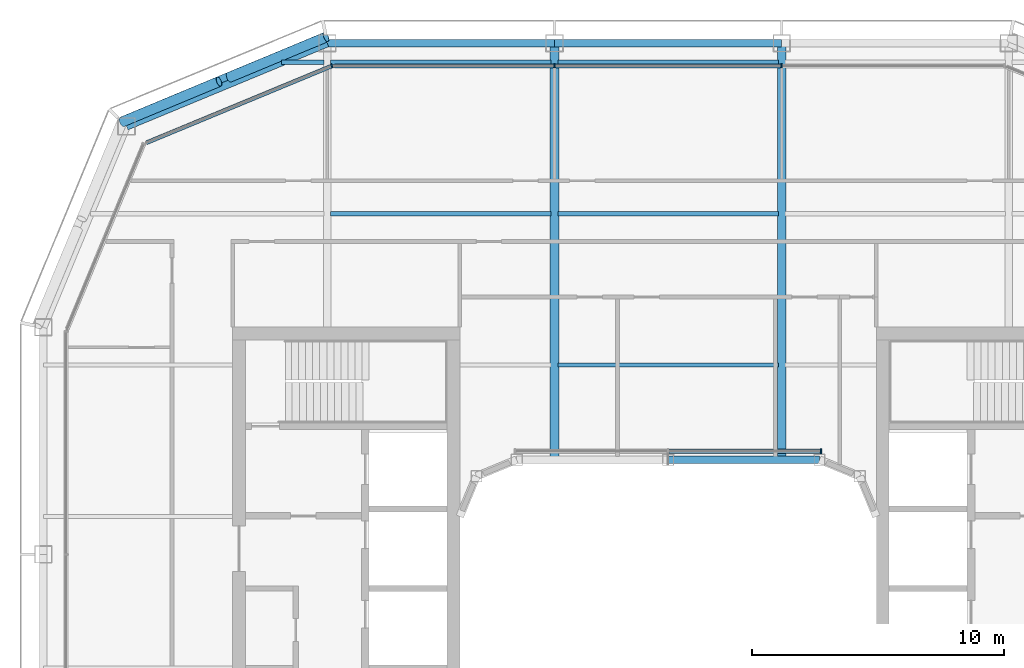
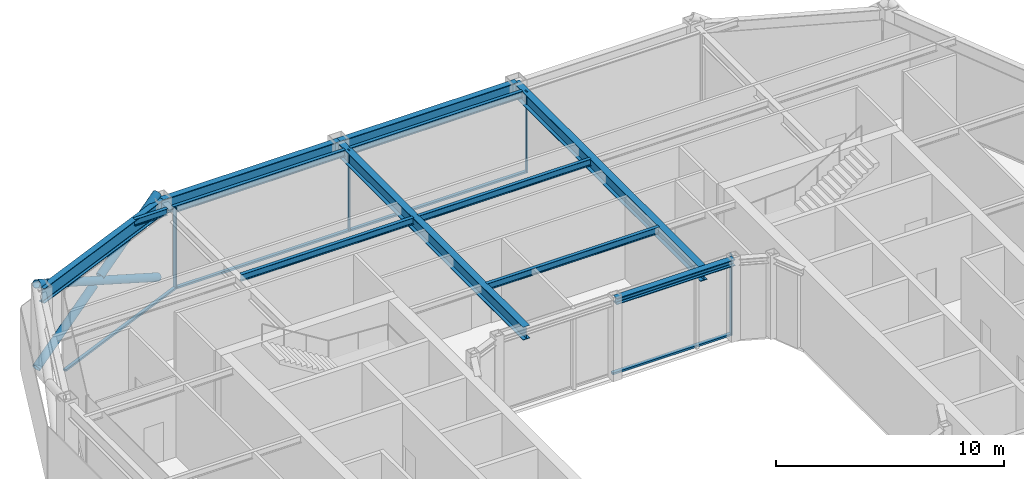
# One storey, part 8 of 21: 12 beams, 11 members, 3 elements without a shape of their own.
"""IFC4 building model written with IfcOpenShell, lengths in metres."""

from ifc_helpers import new_model, si_unit, direction, frame, origin, origin_2d, place, context, subcontext, project, spatial, rectangle, hollow_circle, i_section, extrude, material, layer, layer_set, material_profile, profile_set, type_object, element, aggregate, save


model = new_model("IFC4")

# Units and contexts
model_context = context("Model", 3, precision=1e-05, world=origin(), true_north=direction((0.0, 1.0)))
body_context = subcontext(model_context, "Body", "Model", "MODEL_VIEW")
ifc_project = project(units=[si_unit("LENGTHUNIT", "METRE"), si_unit("AREAUNIT", "SQUARE_METRE"), si_unit("VOLUMEUNIT", "CUBIC_METRE"), si_unit("PLANEANGLEUNIT", "RADIAN"), si_unit("MASSUNIT", "GRAM", prefix="KILO")], contexts=[model_context])

# Site, building, storey
site_placement = place(None, origin())
site = spatial("IfcSite", under=ifc_project, at=site_placement, CompositionType="ELEMENT")
building_placement = place(site_placement, origin())
building = spatial("IfcBuilding", under=site, at=building_placement, Name="Siwar Civic Tower", CompositionType="ELEMENT")
storey_placement = place(building_placement, frame((0.0, 0.0, 339.199951171875)))
storey = spatial("IfcBuildingStorey", under=building, at=storey_placement, Name="L73", CompositionType="ELEMENT", Elevation=339.199951171875)

# Curtain wall, members
ifc_material_1 = material(Name="Aluminium and glass", Category="aluminium")
ifc_layer_1 = layer(ifc_material_1, 0.159912109375)
ifc_layer_set_1 = layer_set([ifc_layer_1], Name="Aluminium and glass")
curtain_wall_type_1 = type_object("IfcCurtainWallType", Name="ENV-CW-D", PredefinedType="NOTDEFINED", material=ifc_layer_set_1)
curtain_wall_1_placement = place(storey_placement, origin())
curtain_wall_1 = element("IfcCurtainWall", 1, at=curtain_wall_1_placement, inside=storey, type_object=curtain_wall_type_1, Name="Curtain wall D N", PredefinedType="NOTDEFINED")
ifc_material_2 = material(Name="Aluminium 6063-T6", Category="aluminium")
ifc_material_profile_1 = material_profile(ifc_material_2, rectangle(XDim=0.159912109375, YDim=0.06005859375, at=origin_2d()), Name="AL 160x60")
ifc_profile_set_1 = profile_set([ifc_material_profile_1], Name="Aluminium 6063-T6")
member_type_1 = type_object("IfcMemberType", Name="ENV-MULLION-D", PredefinedType="MULLION", material=ifc_profile_set_1)
member_1_placement = place(storey_placement, frame((4.5, 23.85009765625, 0.0), z_axis=(0.0, 0.0, 1.0), x_axis=(0.0, -1.0, 0.0)))
member_1 = element("IfcMember", 2, at=member_1_placement, type_object=member_type_1, Name="Mullion D N 2", PredefinedType="MULLION", context=body_context, shape_type="SweptSolid", body=[
    extrude(rectangle(XDim=0.159912109375, YDim=0.06005859375, at=origin_2d()), origin(), (0.0, 0.0, 1.0), 4.35009765625),
])
member_2_placement = place(storey_placement, frame((-4.5, 23.85009765625, 0.0), z_axis=(0.0, 0.0, 1.0), x_axis=(0.0, -1.0, 0.0)))
member_2 = element("IfcMember", 3, at=member_2_placement, type_object=member_type_1, Name="Mullion D N 3", PredefinedType="MULLION", context=body_context, shape_type="SweptSolid", body=[
    extrude(rectangle(XDim=0.159912109375, YDim=0.06005859375, at=origin_2d()), origin(), (0.0, 0.0, 1.0), 4.35009765625),
])

# Curtain wall, member
ifc_material_3 = material(Name="Aluminium clad insulated panel", Category="aluminium")
ifc_layer_2 = layer(ifc_material_3, 0.159912109375)
ifc_layer_set_2 = layer_set([ifc_layer_2], Name="Aluminium clad insulated panel")
curtain_wall_type_2 = type_object("IfcCurtainWallType", Name="ENV-CW-DX", PredefinedType="NOTDEFINED", material=ifc_layer_set_2)
curtain_wall_2_placement = place(storey_placement, origin())
curtain_wall_2 = element("IfcCurtainWall", 4, at=curtain_wall_2_placement, inside=storey, type_object=curtain_wall_type_2, Name="Curtain wall D NW1", PredefinedType="NOTDEFINED")
member_3_placement = place(storey_placement, frame((-13.321044921875, 23.85009765625, 0.0), z_axis=(0.0, 0.0, 1.0), x_axis=(0.382683432365, -0.923879532511, 0.0)))
member_3 = element("IfcMember", 5, at=member_3_placement, type_object=member_type_1, Name="Mullion D NW1 1", PredefinedType="MULLION", context=body_context, shape_type="SweptSolid", body=[
    extrude(rectangle(XDim=0.159912109375, YDim=0.06005859375, at=origin_2d()), origin(), (0.0, 0.0, 1.0), 4.35009765625),
])

ifc_material_4 = material(Name="Aluminium and glass", Category="aluminium")
ifc_layer_3 = layer(ifc_material_4, 0.179931640625)
ifc_layer_set_3 = layer_set([ifc_layer_3], Name="Aluminium and glass")
curtain_wall_type_3 = type_object("IfcCurtainWallType", Name="ENV-CW-W", PredefinedType="NOTDEFINED", material=ifc_layer_set_3)
curtain_wall_3_placement = place(storey_placement, origin())
curtain_wall_3 = element("IfcCurtainWall", 6, at=curtain_wall_3_placement, inside=storey, type_object=curtain_wall_type_3, Name="Curtain wall W WN", PredefinedType="NOTDEFINED")
ifc_material_5 = material(Name="Aluminium 6063-T6", Category="aluminium")
ifc_material_profile_2 = material_profile(ifc_material_5, rectangle(XDim=0.179931640625, YDim=0.06005859375, at=origin_2d()), Name="AL 180x60")
ifc_profile_set_2 = profile_set([ifc_material_profile_2], Name="Aluminium 6063-T6")
member_type_2 = type_object("IfcMemberType", Name="ENV-MULLION-W", PredefinedType="MULLION", material=ifc_profile_set_2)
member_4_placement = place(storey_placement, frame((6.066650390625, 8.5849609375, 0.0), z_axis=(0.0, 0.0, 1.0), x_axis=(0.0, -1.0, 0.0)))
member_4 = element("IfcMember", 7, at=member_4_placement, type_object=member_type_2, Name="Mullion W WN 1", PredefinedType="MULLION", context=body_context, shape_type="SweptSolid", body=[
    extrude(rectangle(XDim=0.179931640625, YDim=0.06005859375, at=origin_2d()), origin(), (0.0, 0.0, 1.0), 4.35009765625),
])

# Member
ifc_material_6 = material(Name="Aluminium 6063-T6", Category="aluminium")
ifc_material_profile_3 = material_profile(ifc_material_6, rectangle(XDim=0.159912109375, YDim=0.10009765625, at=origin_2d()), Name="AL 160x100")
ifc_profile_set_3 = profile_set([ifc_material_profile_3], Name="Aluminium 6063-T6")
member_type_3 = type_object("IfcMemberType", Name="ENV-TRANSOM-D", PredefinedType="USERDEFINED", material=ifc_profile_set_3)
member_5_placement = place(storey_placement, frame((4.469970703125, 23.85009765625, 0.050048828125), z_axis=(-1.0, 0.0, 0.0), x_axis=(0.0, -1.0, 0.0)))
member_5 = element("IfcMember", 8, at=member_5_placement, type_object=member_type_3, Name="Transom D N 2", ObjectType="TRANSOM", PredefinedType="USERDEFINED", context=body_context, shape_type="SweptSolid", body=[
    extrude(rectangle(XDim=0.159912109375, YDim=0.10009765625, at=origin_2d()), origin(), (0.0, 0.0, 1.0), 8.93994140625),
])

member_6_placement = place(storey_placement, frame((-4.530029296875, 23.85009765625, 0.050048828125), z_axis=(-1.0, 0.0, 0.0), x_axis=(0.0, -1.0, 0.0)))
member_6 = element("IfcMember", 9, at=member_6_placement, type_object=member_type_3, Name="Transom D N 3", ObjectType="TRANSOM", PredefinedType="USERDEFINED", context=body_context, shape_type="SweptSolid", body=[
    extrude(rectangle(XDim=0.159912109375, YDim=0.10009765625, at=origin_2d()), origin(), (0.0, 0.0, 1.0), 8.693115234375),
])

aggregate(curtain_wall_1, [member_1, member_2, member_5, member_6])

member_7_placement = place(storey_placement, frame((-13.3486328125, 23.838623046875, 0.050048828125), z_axis=(-0.923872756612, -0.382699790424, 0.0), x_axis=(0.382699790424, -0.923872756612, 0.0)))
member_7 = element("IfcMember", 10, at=member_7_placement, type_object=member_type_3, Name="Transom D NW1 1", ObjectType="TRANSOM", PredefinedType="USERDEFINED", context=body_context, shape_type="SweptSolid", body=[
    extrude(rectangle(XDim=0.159912109375, YDim=0.10009765625, at=origin_2d()), origin(), (0.0, 0.0, 1.0), 7.930908203125),
])

aggregate(curtain_wall_2, [member_3, member_7])

ifc_material_7 = material(Name="Aluminium 6063-T6", Category="aluminium")
ifc_material_profile_4 = material_profile(ifc_material_7, rectangle(XDim=0.179931640625, YDim=0.10009765625, at=origin_2d()), Name="AL 180x100")
ifc_profile_set_4 = profile_set([ifc_material_profile_4], Name="Aluminium 6063-T6")
member_type_4 = type_object("IfcMemberType", Name="ENV-TRANSOM-W", PredefinedType="USERDEFINED", material=ifc_profile_set_4)
member_8_placement = place(storey_placement, frame((6.03662109375, 8.5849609375, 0.050048828125), z_axis=(-1.0, 0.0, 0.0), x_axis=(0.0, -1.0, 0.0)))
member_8 = element("IfcMember", 11, at=member_8_placement, type_object=member_type_4, Name="Transom W WN 1", ObjectType="TRANSOM", PredefinedType="USERDEFINED", context=body_context, shape_type="SweptSolid", body=[
    extrude(rectangle(XDim=0.179931640625, YDim=0.10009765625, at=origin_2d()), origin(), (0.0, 0.0, 1.0), 6.006591796875),
])

aggregate(curtain_wall_3, [member_4, member_8])

# Members
ifc_material_8 = material(Name="Steel S355", Category="steel")
ifc_material_profile_5 = material_profile(ifc_material_8, hollow_circle(Radius=0.203125, WallThickness=0.01611328125, at=origin_2d()), Name="CHS406.4x16")
ifc_profile_set_5 = profile_set([ifc_material_profile_5], Name="Steel S355")
member_type_5 = type_object("IfcMemberType", Name="STR-BR-CHS406.4x16", PredefinedType="BRACE", material=ifc_profile_set_5)
member_9_placement = place(storey_placement, frame((-13.548828125, 24.9951171875, 0.0), z_axis=(-0.821142553604, -0.341671493852, 0.457149315816), x_axis=(0.384163874976, -0.923264922524, 0.0)))
element("IfcMember", 12, at=member_9_placement, inside=storey, type_object=member_type_5, Name="L73/brc/DNW1-12-0-0", PredefinedType="BRACE", context=body_context, shape_type="SweptSolid", body=[
    extrude(hollow_circle(Radius=0.203125, WallThickness=0.01611328125, at=origin_2d()), origin(), (0.0, 0.0, 1.0), 9.843505859375),
])
member_10_placement = place(storey_placement, frame((-21.6318359375, 21.6318359375, 0.0), z_axis=(0.821147096886, 0.341644380467, 0.457161418507), x_axis=(-0.38413607648, 0.923276488787, 0.0)))
element("IfcMember", 13, at=member_10_placement, inside=storey, type_object=member_type_5, Name="L73/brc/DNW1-12-0-4", PredefinedType="BRACE", context=body_context, shape_type="SweptSolid", body=[
    extrude(hollow_circle(Radius=0.203125, WallThickness=0.01611328125, at=origin_2d()), origin(), (0.0, 0.0, 1.0), 4.677001953125),
])
member_11_placement = place(storey_placement, frame((-17.38916015625, 23.397216796875, 2.362060546875), z_axis=(0.821149689876, 0.341667178655, 0.457139722456), x_axis=(-0.384156893273, 0.923267827529, 0.0)))
element("IfcMember", 14, at=member_11_placement, inside=storey, type_object=member_type_5, Name="L73/brc/DNW1-12-0-5", PredefinedType="BRACE", context=body_context, shape_type="SweptSolid", body=[
    extrude(hollow_circle(Radius=0.203125, WallThickness=0.01611328125, at=origin_2d()), origin(), (0.0, 0.0, 1.0), 4.6767578125),
])

# Beams
ifc_material_9 = material(Name="Steel S355", Category="steel")
ifc_material_profile_6 = material_profile(ifc_material_9, i_section(OverallWidth=0.169921875, OverallDepth=0.360107421875, WebThickness=0.008056640625, FlangeThickness=0.0126953125, FilletRadius=0.01806640625, at=origin_2d()), Name="IPE360")
ifc_profile_set_6 = profile_set([ifc_material_profile_6], Name="Steel S355")
beam_type_1 = type_object("IfcBeamType", Name="STR-FB-IPE360", PredefinedType="JOIST", material=ifc_profile_set_6)
for number, where, z_axis, x_axis, name in (
    (15, (-4.3701171875, 12.0, 4.170166015625), (1.0, 0.0, 0.0), (0.0, 1.0, 0.0), "L73/bm/F024"),
    (16, (-13.3701171875, 18.0, 4.170166015625), (1.0, 0.0, 0.0), (0.0, 1.0, 0.0), "L73/bm/F028"),
    (17, (-4.3701171875, 18.0, 4.170166015625), (1.0, 0.0, 0.0), (0.0, 1.0, 0.0), "L73/bm/F029"),
):
    element("IfcBeam", number, at=place(storey_placement, frame(where, z_axis=z_axis, x_axis=x_axis)), inside=storey, type_object=beam_type_1, Name=name, PredefinedType="JOIST", context=body_context, shape_type="SweptSolid", body=[
        extrude(i_section(OverallWidth=0.169921875, OverallDepth=0.360107421875, WebThickness=0.008056640625, FlangeThickness=0.0126953125, FilletRadius=0.01806640625, at=origin_2d()), origin(), (0.0, 0.0, 1.0), 8.740234375),
    ])
beam_1_placement = place(storey_placement, frame((-15.310546875, 24.0, 4.170166015625), z_axis=(1.0, 0.0, 0.0), x_axis=(0.0, 1.0, 0.0)))
element("IfcBeam", 18, at=beam_1_placement, inside=storey, type_object=beam_type_1, Name="L73/bm/F032", PredefinedType="JOIST", context=body_context, shape_type="SweptSolid", body=[
    extrude(i_section(OverallWidth=0.169921875, OverallDepth=0.360107421875, WebThickness=0.008056640625, FlangeThickness=0.0126953125, FilletRadius=0.01806640625, at=origin_2d()), origin(), (0.0, 0.0, 1.0), 1.6806640625),
])
for number, where, z_axis, x_axis, name in (
    (19, (-13.3701171875, 24.0, 4.170166015625), (1.0, 0.0, 0.0), (0.0, 1.0, 0.0), "L73/bm/F033"),
    (20, (-4.3701171875, 24.0, 4.170166015625), (1.0, 0.0, 0.0), (0.0, 1.0, 0.0), "L73/bm/F034"),
):
    element("IfcBeam", number, at=place(storey_placement, frame(where, z_axis=z_axis, x_axis=x_axis)), inside=storey, type_object=beam_type_1, Name=name, PredefinedType="JOIST", context=body_context, shape_type="SweptSolid", body=[
        extrude(i_section(OverallWidth=0.169921875, OverallDepth=0.360107421875, WebThickness=0.008056640625, FlangeThickness=0.0126953125, FilletRadius=0.01806640625, at=origin_2d()), origin(), (0.0, 0.0, 1.0), 8.740234375),
    ])
ifc_material_10 = material(Name="Steel S355", Category="steel")
ifc_material_profile_7 = material_profile(ifc_material_10, i_section(OverallWidth=0.340087890625, OverallDepth=0.699951171875, WebThickness=0.013916015625, FlangeThickness=0.030029296875, at=origin_2d()), Name="PG700x340x14x30")
ifc_profile_set_7 = profile_set([ifc_material_profile_7], Name="Steel S355")
beam_type_2 = type_object("IfcBeamType", Name="STR-PG-PG700x340x14x30", PredefinedType="BEAM", material=ifc_profile_set_7)
for number, where, z_axis, x_axis, name in (
    (21, (-4.5, 8.25, 4.0), (0.0, 1.0, 0.0), (-1.0, 0.0, 0.0), "L73/bm/G04"),
    (22, (4.5, 8.25, 4.0), (0.0, 1.0, 0.0), (-1.0, 0.0, 0.0), "L73/bm/G06"),
):
    element("IfcBeam", number, at=place(storey_placement, frame(where, z_axis=z_axis, x_axis=x_axis)), inside=storey, type_object=beam_type_2, Name=name, PredefinedType="BEAM", context=body_context, shape_type="SweptSolid", body=[
        extrude(i_section(OverallWidth=0.340087890625, OverallDepth=0.699951171875, WebThickness=0.013916015625, FlangeThickness=0.030029296875, at=origin_2d()), origin(), (0.0, 0.0, 1.0), 16.5),
    ])
ifc_material_11 = material(Name="Steel S355", Category="steel")
ifc_material_profile_8 = material_profile(ifc_material_11, i_section(OverallWidth=0.31005859375, OverallDepth=0.340087890625, WebThickness=0.02099609375, FlangeThickness=0.0390625, FilletRadius=0.027099609375, at=origin_2d()), Name="HEM300")
ifc_profile_set_8 = profile_set([ifc_material_profile_8], Name="Steel S355")
beam_type_3 = type_object("IfcBeamType", Name="STR-RB-HEM300", PredefinedType="BEAM", material=ifc_profile_set_8)
beam_2_placement = place(storey_placement, frame((0.0, 8.25, 4.179931640625), z_axis=(1.0, 0.0, 0.0), x_axis=(0.0, 1.0, 0.0)))
element("IfcBeam", 23, at=beam_2_placement, inside=storey, type_object=beam_type_3, Name="L73/bm/RN2", PredefinedType="BEAM", context=body_context, shape_type="SweptSolid", body=[
    extrude(i_section(OverallWidth=0.31005859375, OverallDepth=0.340087890625, WebThickness=0.02099609375, FlangeThickness=0.0390625, FilletRadius=0.027099609375, at=origin_2d()), origin(), (0.0, 0.0, 1.0), 6.0),
])
ifc_material_12 = material(Name="Steel S355", Category="steel")
ifc_material_profile_9 = material_profile(ifc_material_12, i_section(OverallWidth=0.300048828125, OverallDepth=0.800048828125, WebThickness=0.017578125, FlangeThickness=0.032958984375, FilletRadius=0.030029296875, at=origin_2d()), Name="HEB800")
ifc_profile_set_9 = profile_set([ifc_material_profile_9], Name="Steel S355")
beam_type_4 = type_object("IfcBeamType", Name="STR-SB-HEB800", PredefinedType="BEAM", material=ifc_profile_set_9)
for number, where, z_axis, x_axis, name in (
    (24, (4.5, 24.75, 3.949951171875), (-1.0, 0.0, 0.0), (0.0, -1.0, 0.0), "L73/bm/SN-1"),
    (25, (-4.5, 24.75, 3.949951171875), (-1.0, 0.0, 0.0), (0.0, -1.0, 0.0), "L73/bm/SN-2"),
):
    element("IfcBeam", number, at=place(storey_placement, frame(where, z_axis=z_axis, x_axis=x_axis)), inside=storey, type_object=beam_type_4, Name=name, PredefinedType="BEAM", context=body_context, shape_type="SweptSolid", body=[
        extrude(i_section(OverallWidth=0.300048828125, OverallDepth=0.800048828125, WebThickness=0.017578125, FlangeThickness=0.032958984375, FilletRadius=0.030029296875, at=origin_2d()), origin(), (0.0, 0.0, 1.0), 9.0),
    ])
beam_3_placement = place(storey_placement, frame((-13.5, 24.75, 3.949951171875), z_axis=(-0.923872720536, -0.382699877515, 0.0), x_axis=(0.382699877515, -0.923872720536, 0.0)))
element("IfcBeam", 26, at=beam_3_placement, inside=storey, type_object=beam_type_4, Name="L73/bm/SNW1-0", PredefinedType="BEAM", context=body_context, shape_type="SweptSolid", body=[
    extrude(i_section(OverallWidth=0.300048828125, OverallDepth=0.800048828125, WebThickness=0.017578125, FlangeThickness=0.032958984375, FilletRadius=0.030029296875, at=origin_2d()), origin(), (0.0, 0.0, 1.0), 8.6103515625),
])

save(model, "model.ifc")
